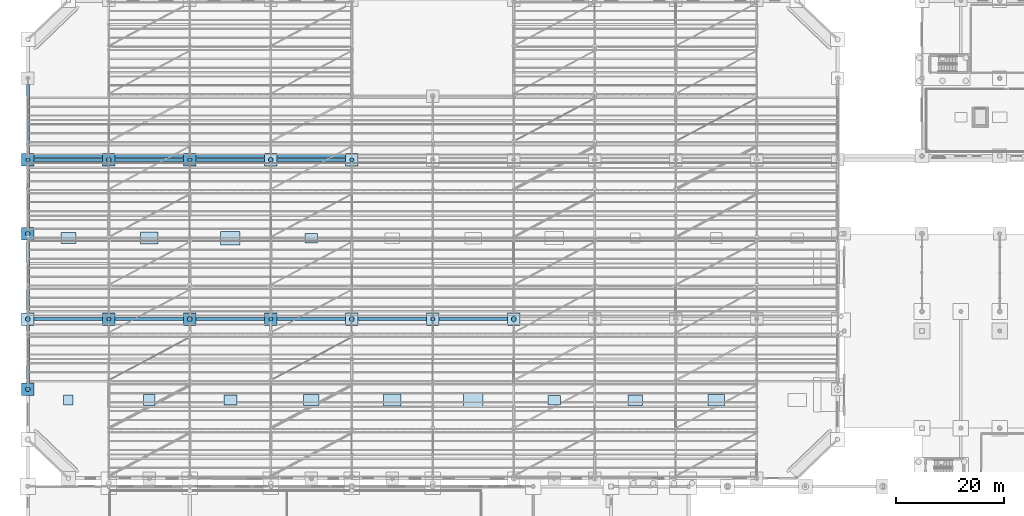
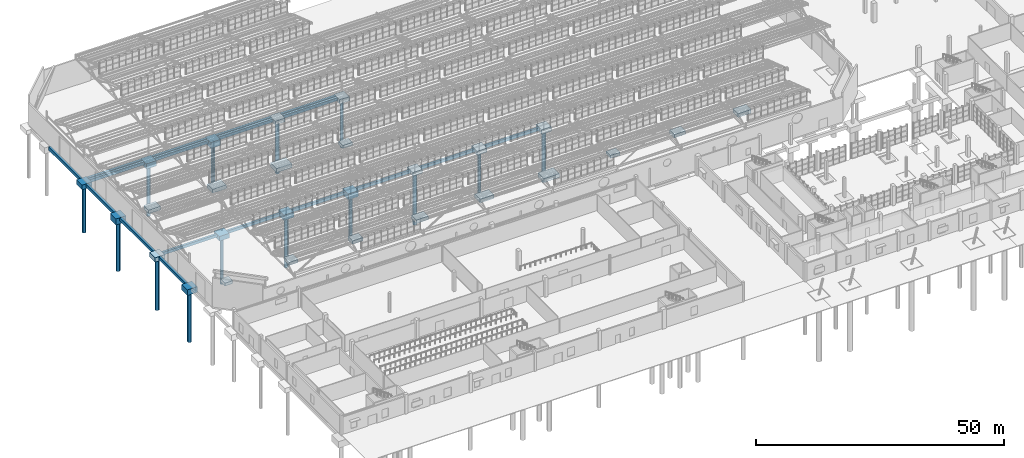
# One storey, part 4 of 285: 45 footings, 14 piles.
"""IFC4 building model written with IfcOpenShell, lengths in metres."""

from ifc_helpers import new_model, si_unit, direction, frame, origin, origin_2d, place, context, subcontext, project, spatial, polyline, circle, outline, extrude, material, material_profile, profile_set, type_object, element, save


model = new_model("IFC4")

# Units and contexts
model_context = context("Model", 3, precision=1e-05, world=origin(), true_north=direction((0.0, 1.0)))
body_context = subcontext(model_context, "Body", "Model", "MODEL_VIEW")
ifc_project = project(units=[si_unit("LENGTHUNIT", "METRE"), si_unit("AREAUNIT", "SQUARE_METRE"), si_unit("VOLUMEUNIT", "CUBIC_METRE"), si_unit("PLANEANGLEUNIT", "RADIAN"), si_unit("MASSUNIT", "GRAM", prefix="KILO")], contexts=[model_context])

# Site, building, storey
site_placement = place(None, origin())
site = spatial("IfcSite", under=ifc_project, at=site_placement, CompositionType="ELEMENT")
building_placement = place(site_placement, origin())
building = spatial("IfcBuilding", under=site, at=building_placement, Name="Solanera Park Tramway Depot", CompositionType="ELEMENT")
storey_placement = place(building_placement, origin())
storey = spatial("IfcBuildingStorey", under=building, at=storey_placement, Name="L00", CompositionType="ELEMENT", Elevation=0.0)

# Footings
ifc_material_1 = material(Name="Concrete N40 (C40/50)", Category="concrete")
footing_type_1 = type_object("IfcFootingType", Name="Bored Pile Cap PC-01 2300x2300x900", PredefinedType="PILE_CAP", material=ifc_material_1)
footing_1_placement = place(storey_placement, frame((0.0, 0.0, -1.35009765625)))
element("IfcFooting", 1, at=footing_1_placement, inside=storey, type_object=footing_type_1, Name="Pile Cap PC-01 #144", PredefinedType="PILE_CAP", context=body_context, shape_type="SweptSolid", body=[
    extrude(outline(polyline([(61.14990234375, 83.85009765625), (61.14990234375, 86.14990234375), (58.85009765625, 86.14990234375), (58.85009765625, 83.85009765625), (61.14990234375, 83.85009765625)])), origin(), (0.0, 0.0, 1.0), 0.900146484375),
])
footing_2_placement = place(storey_placement, frame((0.0, 0.0, -1.35009765625)))
element("IfcFooting", 2, at=footing_2_placement, inside=storey, type_object=footing_type_1, Name="Pile Cap PC-01 #162", PredefinedType="PILE_CAP", context=body_context, shape_type="SweptSolid", body=[
    extrude(outline(polyline([(46.14990234375, 113.35009765625), (46.14990234375, 115.64990234375), (43.85009765625, 115.64990234375), (43.85009765625, 113.35009765625), (46.14990234375, 113.35009765625)])), origin(), (0.0, 0.0, 1.0), 0.900146484375),
])
ifc_material_2 = material(Name="Concrete N40 (C40/50)", Category="concrete")
footing_type_2 = type_object("IfcFootingType", Name="Bored Pile Cap PC-02 2600x2600x1000", PredefinedType="PILE_CAP", material=ifc_material_2)
footing_3_placement = place(storey_placement, frame((0.0, 0.0, -1.449951171875)))
element("IfcFooting", 3, at=footing_3_placement, inside=storey, type_object=footing_type_2, Name="Pile Cap PC-02 #145", PredefinedType="PILE_CAP", context=body_context, shape_type="SweptSolid", body=[
    extrude(outline(polyline([(76.14990234375, 83.85009765625), (76.14990234375, 86.14990234375), (73.85009765625, 86.14990234375), (73.85009765625, 83.85009765625), (76.14990234375, 83.85009765625)])), origin(), (0.0, 0.0, 1.0), 1.0),
])
footing_4_placement = place(storey_placement, frame((0.0, 0.0, -1.449951171875)))
element("IfcFooting", 4, at=footing_4_placement, inside=storey, type_object=footing_type_2, Name="Pile Cap PC-02 #163", PredefinedType="PILE_CAP", context=body_context, shape_type="SweptSolid", body=[
    extrude(outline(polyline([(61.14990234375, 113.35009765625), (61.14990234375, 115.64990234375), (58.85009765625, 115.64990234375), (58.85009765625, 113.35009765625), (61.14990234375, 113.35009765625)])), origin(), (0.0, 0.0, 1.0), 1.0),
])
ifc_material_3 = material(Name="Concrete N40 (C40/50)", Category="concrete")
footing_type_3 = type_object("IfcFootingType", Name="Bored Pile Cap PC-03 2900x2900x1100", PredefinedType="PILE_CAP", material=ifc_material_3)
footing_5_placement = place(storey_placement, frame((0.0, 0.0, -1.550048828125)))
element("IfcFooting", 5, at=footing_5_placement, inside=storey, type_object=footing_type_3, Name="Pile Cap PC-03 #146", PredefinedType="PILE_CAP", context=body_context, shape_type="SweptSolid", body=[
    extrude(outline(polyline([(91.14990234375, 83.85009765625), (91.14990234375, 86.14990234375), (88.85009765625, 86.14990234375), (88.85009765625, 83.85009765625), (91.14990234375, 83.85009765625)])), origin(), (0.0, 0.0, 1.0), 1.10009765625),
])
ifc_material_4 = material(Name="Concrete N40 (C40/50)", Category="concrete")
footing_type_4 = type_object("IfcFootingType", Name="Bored Pile Cap PC-09 5200x3400x1400", PredefinedType="PILE_CAP", material=ifc_material_4)
footing_6_placement = place(storey_placement, frame((0.0, 0.0, -1.85009765625)))
element("IfcFooting", 6, at=footing_6_placement, inside=storey, type_object=footing_type_4, Name="Pile Cap PC-09 #134", PredefinedType="PILE_CAP", context=body_context, shape_type="SweptSolid", body=[
    extrude(outline(polyline([(1.14990234375, 70.85009765625), (1.14990234375, 73.14990234375), (-1.14990234375, 73.14990234375), (-1.14990234375, 70.85009765625), (1.14990234375, 70.85009765625)])), origin(), (0.0, 0.0, 1.0), 1.400146484375),
])
ifc_material_5 = material(Name="Concrete N40 (C40/50)", Category="concrete")
footing_type_5 = type_object("IfcFootingType", Name="Bored Pile Cap PC-11 6500x4200x1500", PredefinedType="PILE_CAP", material=ifc_material_5)
footing_7_placement = place(storey_placement, frame((0.0, 0.0, -1.949951171875)))
element("IfcFooting", 7, at=footing_7_placement, inside=storey, type_object=footing_type_5, Name="Pile Cap PC-11 #154", PredefinedType="PILE_CAP", context=body_context, shape_type="SweptSolid", body=[
    extrude(outline(polyline([(1.14990234375, 99.64990234375), (1.14990234375, 101.949951171875), (-1.14990234375, 101.949951171875), (-1.14990234375, 99.64990234375), (1.14990234375, 99.64990234375)])), origin(), (0.0, 0.0, 1.0), 1.5),
])
ifc_material_6 = material(Name="Concrete N40 (C40/50)", Category="concrete")
footing_type_6 = type_object("IfcFootingType", Name="Bored Pile Cap PC-15 2750x2750x1050", PredefinedType="PILE_CAP", material=ifc_material_6)
footing_8_placement = place(storey_placement, frame((0.0, 0.0, -1.5)))
element("IfcFooting", 8, at=footing_8_placement, inside=storey, type_object=footing_type_6, Name="Pile Cap PC-15 #140", PredefinedType="PILE_CAP", context=body_context, shape_type="SweptSolid", body=[
    extrude(outline(polyline([(1.14990234375, 83.85009765625), (1.14990234375, 86.14990234375), (-1.14990234375, 86.14990234375), (-1.14990234375, 83.85009765625), (1.14990234375, 83.85009765625)])), origin(), (0.0, 0.0, 1.0), 1.050048828125),
])
ifc_material_7 = material(Name="Concrete N40 (C40/50)", Category="concrete")
footing_type_7 = type_object("IfcFootingType", Name="Bored Pile Cap PC-16 3050x3050x1150", PredefinedType="PILE_CAP", material=ifc_material_7)
footing_9_placement = place(storey_placement, frame((0.0, 0.0, -1.60009765625)))
element("IfcFooting", 9, at=footing_9_placement, inside=storey, type_object=footing_type_7, Name="Pile Cap PC-16 #141", PredefinedType="PILE_CAP", context=body_context, shape_type="SweptSolid", body=[
    extrude(outline(polyline([(16.14990234375, 83.85009765625), (16.14990234375, 86.14990234375), (13.85009765625, 86.14990234375), (13.85009765625, 83.85009765625), (16.14990234375, 83.85009765625)])), origin(), (0.0, 0.0, 1.0), 1.150146484375),
])
footing_10_placement = place(storey_placement, frame((0.0, 0.0, -1.60009765625)))
element("IfcFooting", 10, at=footing_10_placement, inside=storey, type_object=footing_type_7, Name="Pile Cap PC-16 #159", PredefinedType="PILE_CAP", context=body_context, shape_type="SweptSolid", body=[
    extrude(outline(polyline([(1.14990234375, 113.35009765625), (1.14990234375, 115.64990234375), (-1.14990234375, 115.64990234375), (-1.14990234375, 113.35009765625), (1.14990234375, 113.35009765625)])), origin(), (0.0, 0.0, 1.0), 1.150146484375),
])
ifc_material_8 = material(Name="Concrete N40 (C40/50)", Category="concrete")
footing_type_8 = type_object("IfcFootingType", Name="Bored Pile Cap PC-17 4900x3100x1300", PredefinedType="PILE_CAP", material=ifc_material_8)
footing_11_placement = place(storey_placement, frame((0.0, 0.0, -1.75)))
element("IfcFooting", 11, at=footing_11_placement, inside=storey, type_object=footing_type_8, Name="Pile Cap PC-17 #142", PredefinedType="PILE_CAP", context=body_context, shape_type="SweptSolid", body=[
    extrude(outline(polyline([(31.14990234375, 83.85009765625), (31.14990234375, 86.14990234375), (28.85009765625, 86.14990234375), (28.85009765625, 83.85009765625), (31.14990234375, 83.85009765625)])), origin(), (0.0, 0.0, 1.0), 1.300048828125),
])
footing_12_placement = place(storey_placement, frame((0.0, 0.0, -1.75)))
element("IfcFooting", 12, at=footing_12_placement, inside=storey, type_object=footing_type_8, Name="Pile Cap PC-17 #160", PredefinedType="PILE_CAP", context=body_context, shape_type="SweptSolid", body=[
    extrude(outline(polyline([(16.14990234375, 113.35009765625), (16.14990234375, 115.64990234375), (13.85009765625, 115.64990234375), (13.85009765625, 113.35009765625), (16.14990234375, 113.35009765625)])), origin(), (0.0, 0.0, 1.0), 1.300048828125),
])
ifc_material_9 = material(Name="Concrete N40 (C40/50)", Category="concrete")
footing_type_9 = type_object("IfcFootingType", Name="Bored Pile Cap PC-18 6200x3900x1480", PredefinedType="PILE_CAP", material=ifc_material_9)
footing_13_placement = place(storey_placement, frame((0.0, 0.0, -1.929931640625)))
element("IfcFooting", 13, at=footing_13_placement, inside=storey, type_object=footing_type_9, Name="Pile Cap PC-18 #143", PredefinedType="PILE_CAP", context=body_context, shape_type="SweptSolid", body=[
    extrude(outline(polyline([(46.14990234375, 83.85009765625), (46.14990234375, 86.14990234375), (43.85009765625, 86.14990234375), (43.85009765625, 83.85009765625), (46.14990234375, 83.85009765625)])), origin(), (0.0, 0.0, 1.0), 1.47998046875),
])
footing_14_placement = place(storey_placement, frame((0.0, 0.0, -1.929931640625)))
element("IfcFooting", 14, at=footing_14_placement, inside=storey, type_object=footing_type_9, Name="Pile Cap PC-18 #161", PredefinedType="PILE_CAP", context=body_context, shape_type="SweptSolid", body=[
    extrude(outline(polyline([(31.14990234375, 113.35009765625), (31.14990234375, 115.64990234375), (28.85009765625, 115.64990234375), (28.85009765625, 113.35009765625), (31.14990234375, 113.35009765625)])), origin(), (0.0, 0.0, 1.0), 1.47998046875),
])
ifc_material_10 = material(Name="Concrete N40 (C40/50)", Category="concrete")
footing_type_10 = type_object("IfcFootingType", Name="Equipment Pad Footing PF-01 1800x1800x700", PredefinedType="PAD_FOOTING", material=ifc_material_10)
footing_15_placement = place(storey_placement, frame((0.0, 0.0, -1.14990234375)))
element("IfcFooting", 15, at=footing_15_placement, inside=storey, type_object=footing_type_10, Name="Equipment Pad Footing PF-01 #001", PredefinedType="PAD_FOOTING", context=body_context, shape_type="SweptSolid", body=[
    extrude(outline(polyline([(8.39990234375, 69.10009765625), (8.39990234375, 70.89990234375), (6.60009765625, 70.89990234375), (6.60009765625, 69.10009765625), (8.39990234375, 69.10009765625)])), origin(), (0.0, 0.0, 1.0), 0.699951171875),
])
ifc_material_11 = material(Name="Concrete N40 (C40/50)", Category="concrete")
footing_type_11 = type_object("IfcFootingType", Name="Equipment Pad Footing PF-02 2100x2100x750", PredefinedType="PAD_FOOTING", material=ifc_material_11)
footing_16_placement = place(storey_placement, frame((0.0, 0.0, -1.199951171875)))
element("IfcFooting", 16, at=footing_16_placement, inside=storey, type_object=footing_type_11, Name="Equipment Pad Footing PF-02 #002", PredefinedType="PAD_FOOTING", context=body_context, shape_type="SweptSolid", body=[
    extrude(outline(polyline([(23.550048828125, 68.949951171875), (23.550048828125, 71.050048828125), (21.449951171875, 71.050048828125), (21.449951171875, 68.949951171875), (23.550048828125, 68.949951171875)])), origin(), (0.0, 0.0, 1.0), 0.75),
])
ifc_material_12 = material(Name="Concrete N40 (C40/50)", Category="concrete")
footing_type_12 = type_object("IfcFootingType", Name="Equipment Pad Footing PF-03 2400x1800x800", PredefinedType="PAD_FOOTING", material=ifc_material_12)
footing_17_placement = place(storey_placement, frame((0.0, 0.0, -1.25)))
element("IfcFooting", 17, at=footing_17_placement, inside=storey, type_object=footing_type_12, Name="Equipment Pad Footing PF-03 #003", PredefinedType="PAD_FOOTING", context=body_context, shape_type="SweptSolid", body=[
    extrude(outline(polyline([(38.699951171875, 69.10009765625), (38.699951171875, 70.89990234375), (36.300048828125, 70.89990234375), (36.300048828125, 69.10009765625), (38.699951171875, 69.10009765625)])), origin(), (0.0, 0.0, 1.0), 0.800048828125),
])
ifc_material_13 = material(Name="Concrete N40 (C40/50)", Category="concrete")
footing_type_13 = type_object("IfcFootingType", Name="Equipment Pad Footing PF-04 2800x2000x850", PredefinedType="PAD_FOOTING", material=ifc_material_13)
footing_18_placement = place(storey_placement, frame((0.0, 0.0, -1.300048828125)))
element("IfcFooting", 18, at=footing_18_placement, inside=storey, type_object=footing_type_13, Name="Equipment Pad Footing PF-04 #004", PredefinedType="PAD_FOOTING", context=body_context, shape_type="SweptSolid", body=[
    extrude(outline(polyline([(53.89990234375, 69.0), (53.89990234375, 71.0), (51.10009765625, 71.0), (51.10009765625, 69.0), (53.89990234375, 69.0)])), origin(), (0.0, 0.0, 1.0), 0.85009765625),
])
footing_19_placement = place(storey_placement, frame((0.0, 0.0, -1.300048828125)))
element("IfcFooting", 19, at=footing_19_placement, inside=storey, type_object=footing_type_13, Name="Equipment Pad Footing PF-04 #011", PredefinedType="PAD_FOOTING", context=body_context, shape_type="SweptSolid", body=[
    extrude(outline(polyline([(8.89990234375, 99.0), (8.89990234375, 101.0), (6.10009765625, 101.0), (6.10009765625, 99.0), (8.89990234375, 99.0)])), origin(), (0.0, 0.0, 1.0), 0.85009765625),
])
ifc_material_14 = material(Name="Concrete N40 (C40/50)", Category="concrete")
footing_type_14 = type_object("IfcFootingType", Name="Equipment Pad Footing PF-05 3200x2200x900", PredefinedType="PAD_FOOTING", material=ifc_material_14)
footing_20_placement = place(storey_placement, frame((0.0, 0.0, -1.35009765625)))
element("IfcFooting", 20, at=footing_20_placement, inside=storey, type_object=footing_type_14, Name="Equipment Pad Footing PF-05 #005", PredefinedType="PAD_FOOTING", context=body_context, shape_type="SweptSolid", body=[
    extrude(outline(polyline([(69.10009765625, 68.89990234375), (69.10009765625, 71.10009765625), (65.89990234375, 71.10009765625), (65.89990234375, 68.89990234375), (69.10009765625, 68.89990234375)])), origin(), (0.0, 0.0, 1.0), 0.900146484375),
])
footing_21_placement = place(storey_placement, frame((0.0, 0.0, -1.35009765625)))
element("IfcFooting", 21, at=footing_21_placement, inside=storey, type_object=footing_type_14, Name="Equipment Pad Footing PF-05 #012", PredefinedType="PAD_FOOTING", context=body_context, shape_type="SweptSolid", body=[
    extrude(outline(polyline([(24.10009765625, 98.89990234375), (24.10009765625, 101.10009765625), (20.89990234375, 101.10009765625), (20.89990234375, 98.89990234375), (24.10009765625, 98.89990234375)])), origin(), (0.0, 0.0, 1.0), 0.900146484375),
])
ifc_material_15 = material(Name="Concrete N40 (C40/50)", Category="concrete")
footing_type_15 = type_object("IfcFootingType", Name="Equipment Pad Footing PF-06 3600x2500x950", PredefinedType="PAD_FOOTING", material=ifc_material_15)
footing_22_placement = place(storey_placement, frame((0.0, 0.0, -1.39990234375)))
element("IfcFooting", 22, at=footing_22_placement, inside=storey, type_object=footing_type_15, Name="Equipment Pad Footing PF-06 #006", PredefinedType="PAD_FOOTING", context=body_context, shape_type="SweptSolid", body=[
    extrude(outline(polyline([(84.300048828125, 68.75), (84.300048828125, 71.25), (80.699951171875, 71.25), (80.699951171875, 68.75), (84.300048828125, 68.75)])), origin(), (0.0, 0.0, 1.0), 0.949951171875),
])
footing_23_placement = place(storey_placement, frame((0.0, 0.0, -1.39990234375)))
element("IfcFooting", 23, at=footing_23_placement, inside=storey, type_object=footing_type_15, Name="Equipment Pad Footing PF-06 #013", PredefinedType="PAD_FOOTING", context=body_context, shape_type="SweptSolid", body=[
    extrude(outline(polyline([(39.300048828125, 98.75), (39.300048828125, 101.25), (35.699951171875, 101.25), (35.699951171875, 98.75), (39.300048828125, 98.75)])), origin(), (0.0, 0.0, 1.0), 0.949951171875),
])
ifc_material_16 = material(Name="Concrete N40 (C40/50)", Category="concrete")
footing_type_16 = type_object("IfcFootingType", Name="Equipment Pad Footing PF-07 2250x1750x720", PredefinedType="PAD_FOOTING", material=ifc_material_16)
footing_24_placement = place(storey_placement, frame((0.0, 0.0, -1.169921875)))
element("IfcFooting", 24, at=footing_24_placement, inside=storey, type_object=footing_type_16, Name="Equipment Pad Footing PF-07 #007", PredefinedType="PAD_FOOTING", context=body_context, shape_type="SweptSolid", body=[
    extrude(outline(polyline([(98.625, 69.125), (98.625, 70.875), (96.375, 70.875), (96.375, 69.125), (98.625, 69.125)])), origin(), (0.0, 0.0, 1.0), 0.719970703125),
])
footing_25_placement = place(storey_placement, frame((0.0, 0.0, -1.169921875)))
element("IfcFooting", 25, at=footing_25_placement, inside=storey, type_object=footing_type_16, Name="Equipment Pad Footing PF-07 #014", PredefinedType="PAD_FOOTING", context=body_context, shape_type="SweptSolid", body=[
    extrude(outline(polyline([(53.625, 99.125), (53.625, 100.875), (51.375, 100.875), (51.375, 99.125), (53.625, 99.125)])), origin(), (0.0, 0.0, 1.0), 0.719970703125),
])
ifc_material_17 = material(Name="Concrete N40 (C40/50)", Category="concrete")
footing_type_17 = type_object("IfcFootingType", Name="Equipment Pad Footing PF-08 2650x1950x820", PredefinedType="PAD_FOOTING", material=ifc_material_17)
footing_26_placement = place(storey_placement, frame((0.0, 0.0, -1.27001953125)))
element("IfcFooting", 26, at=footing_26_placement, inside=storey, type_object=footing_type_17, Name="Equipment Pad Footing PF-08 #008", PredefinedType="PAD_FOOTING", context=body_context, shape_type="SweptSolid", body=[
    extrude(outline(polyline([(113.824951171875, 69.02490234375), (113.824951171875, 70.97509765625), (111.175048828125, 70.97509765625), (111.175048828125, 69.02490234375), (113.824951171875, 69.02490234375)])), origin(), (0.0, 0.0, 1.0), 0.820068359375),
])
ifc_material_18 = material(Name="Concrete N40 (C40/50)", Category="concrete")
footing_type_18 = type_object("IfcFootingType", Name="Equipment Pad Footing PF-09 3050x2150x880", PredefinedType="PAD_FOOTING", material=ifc_material_18)
footing_27_placement = place(storey_placement, frame((0.0, 0.0, -1.330078125)))
element("IfcFooting", 27, at=footing_27_placement, inside=storey, type_object=footing_type_18, Name="Equipment Pad Footing PF-09 #009", PredefinedType="PAD_FOOTING", context=body_context, shape_type="SweptSolid", body=[
    extrude(outline(polyline([(129.02490234375, 68.925048828125), (129.02490234375, 71.074951171875), (125.97509765625, 71.074951171875), (125.97509765625, 68.925048828125), (129.02490234375, 68.925048828125)])), origin(), (0.0, 0.0, 1.0), 0.880126953125),
])
ifc_material_19 = material(Name="Concrete N40 (C40/50)", Category="concrete")
footing_type_19 = type_object("IfcFootingType", Name="Ground Tie Beam GB-01 500x700", PredefinedType="FOOTING_BEAM", material=ifc_material_19)
footing_28_placement = place(storey_placement, frame((0.0, 0.0, -1.14990234375)))
element("IfcFooting", 28, at=footing_28_placement, inside=storey, type_object=footing_type_19, Name="Ground Tie Beam GB-01 #055", PredefinedType="FOOTING_BEAM", context=body_context, shape_type="SweptSolid", body=[
    extrude(outline(polyline([(13.85009765625, 84.75), (13.85009765625, 85.25), (1.14990234375, 85.25), (1.14990234375, 84.75), (13.85009765625, 84.75)])), origin(), (0.0, 0.0, 1.0), 0.699951171875),
])
footing_29_placement = place(storey_placement, frame((0.0, 0.0, -1.14990234375)))
element("IfcFooting", 29, at=footing_29_placement, inside=storey, type_object=footing_type_19, Name="Ground Tie Beam GB-01 #056", PredefinedType="FOOTING_BEAM", context=body_context, shape_type="SweptSolid", body=[
    extrude(outline(polyline([(28.85009765625, 84.75), (28.85009765625, 85.25), (16.14990234375, 85.25), (16.14990234375, 84.75), (28.85009765625, 84.75)])), origin(), (0.0, 0.0, 1.0), 0.699951171875),
])
footing_30_placement = place(storey_placement, frame((0.0, 0.0, -1.14990234375)))
element("IfcFooting", 30, at=footing_30_placement, inside=storey, type_object=footing_type_19, Name="Ground Tie Beam GB-01 #057", PredefinedType="FOOTING_BEAM", context=body_context, shape_type="SweptSolid", body=[
    extrude(outline(polyline([(43.85009765625, 84.75), (43.85009765625, 85.25), (31.14990234375, 85.25), (31.14990234375, 84.75), (43.85009765625, 84.75)])), origin(), (0.0, 0.0, 1.0), 0.699951171875),
])
footing_31_placement = place(storey_placement, frame((0.0, 0.0, -1.14990234375)))
element("IfcFooting", 31, at=footing_31_placement, inside=storey, type_object=footing_type_19, Name="Ground Tie Beam GB-01 #058", PredefinedType="FOOTING_BEAM", context=body_context, shape_type="SweptSolid", body=[
    extrude(outline(polyline([(58.85009765625, 84.75), (58.85009765625, 85.25), (46.14990234375, 85.25), (46.14990234375, 84.75), (58.85009765625, 84.75)])), origin(), (0.0, 0.0, 1.0), 0.699951171875),
])
footing_32_placement = place(storey_placement, frame((0.0, 0.0, -1.14990234375)))
element("IfcFooting", 32, at=footing_32_placement, inside=storey, type_object=footing_type_19, Name="Ground Tie Beam GB-01 #059", PredefinedType="FOOTING_BEAM", context=body_context, shape_type="SweptSolid", body=[
    extrude(outline(polyline([(73.85009765625, 84.75), (73.85009765625, 85.25), (61.14990234375, 85.25), (61.14990234375, 84.75), (73.85009765625, 84.75)])), origin(), (0.0, 0.0, 1.0), 0.699951171875),
])
footing_33_placement = place(storey_placement, frame((0.0, 0.0, -1.14990234375)))
element("IfcFooting", 33, at=footing_33_placement, inside=storey, type_object=footing_type_19, Name="Ground Tie Beam GB-01 #060", PredefinedType="FOOTING_BEAM", context=body_context, shape_type="SweptSolid", body=[
    extrude(outline(polyline([(88.85009765625, 84.75), (88.85009765625, 85.25), (76.14990234375, 85.25), (76.14990234375, 84.75), (88.85009765625, 84.75)])), origin(), (0.0, 0.0, 1.0), 0.699951171875),
])
ifc_material_20 = material(Name="Concrete N40 (C40/50)", Category="concrete")
footing_type_20 = type_object("IfcFootingType", Name="Ground Tie Beam GB-02 550x750", PredefinedType="FOOTING_BEAM", material=ifc_material_20)
footing_34_placement = place(storey_placement, frame((0.0, 0.0, -1.199951171875)))
element("IfcFooting", 34, at=footing_34_placement, inside=storey, type_object=footing_type_20, Name="Ground Tie Beam GB-02 #065", PredefinedType="FOOTING_BEAM", context=body_context, shape_type="SweptSolid", body=[
    extrude(outline(polyline([(13.85009765625, 114.22509765625), (13.85009765625, 114.77490234375), (1.14990234375, 114.77490234375), (1.14990234375, 114.22509765625), (13.85009765625, 114.22509765625)])), origin(), (0.0, 0.0, 1.0), 0.75),
])
footing_35_placement = place(storey_placement, frame((0.0, 0.0, -1.199951171875)))
element("IfcFooting", 35, at=footing_35_placement, inside=storey, type_object=footing_type_20, Name="Ground Tie Beam GB-02 #066", PredefinedType="FOOTING_BEAM", context=body_context, shape_type="SweptSolid", body=[
    extrude(outline(polyline([(28.85009765625, 114.22509765625), (28.85009765625, 114.77490234375), (16.14990234375, 114.77490234375), (16.14990234375, 114.22509765625), (28.85009765625, 114.22509765625)])), origin(), (0.0, 0.0, 1.0), 0.75),
])
footing_36_placement = place(storey_placement, frame((0.0, 0.0, -1.199951171875)))
element("IfcFooting", 36, at=footing_36_placement, inside=storey, type_object=footing_type_20, Name="Ground Tie Beam GB-02 #067", PredefinedType="FOOTING_BEAM", context=body_context, shape_type="SweptSolid", body=[
    extrude(outline(polyline([(43.85009765625, 114.22509765625), (43.85009765625, 114.77490234375), (31.14990234375, 114.77490234375), (31.14990234375, 114.22509765625), (43.85009765625, 114.22509765625)])), origin(), (0.0, 0.0, 1.0), 0.75),
])
footing_37_placement = place(storey_placement, frame((0.0, 0.0, -1.199951171875)))
element("IfcFooting", 37, at=footing_37_placement, inside=storey, type_object=footing_type_20, Name="Ground Tie Beam GB-02 #068", PredefinedType="FOOTING_BEAM", context=body_context, shape_type="SweptSolid", body=[
    extrude(outline(polyline([(58.85009765625, 114.22509765625), (58.85009765625, 114.77490234375), (46.14990234375, 114.77490234375), (46.14990234375, 114.22509765625), (58.85009765625, 114.22509765625)])), origin(), (0.0, 0.0, 1.0), 0.75),
])
footing_38_placement = place(storey_placement, frame((0.0, 0.0, -1.199951171875)))
element("IfcFooting", 38, at=footing_38_placement, inside=storey, type_object=footing_type_20, Name="Ground Tie Beam GB-02 #111", PredefinedType="FOOTING_BEAM", context=body_context, shape_type="SweptSolid", body=[
    extrude(outline(polyline([(0.27490234375, 73.14990234375), (0.27490234375, 83.85009765625), (-0.27490234375, 83.85009765625), (-0.27490234375, 73.14990234375), (0.27490234375, 73.14990234375)])), origin(), (0.0, 0.0, 1.0), 0.75),
])
footing_39_placement = place(storey_placement, frame((0.0, 0.0, -1.199951171875)))
element("IfcFooting", 39, at=footing_39_placement, inside=storey, type_object=footing_type_20, Name="Ground Tie Beam GB-02 #112", PredefinedType="FOOTING_BEAM", context=body_context, shape_type="SweptSolid", body=[
    extrude(outline(polyline([(0.27490234375, 86.14990234375), (0.27490234375, 99.64990234375), (-0.27490234375, 99.64990234375), (-0.27490234375, 86.14990234375), (0.27490234375, 86.14990234375)])), origin(), (0.0, 0.0, 1.0), 0.75),
])
footing_40_placement = place(storey_placement, frame((0.0, 0.0, -1.199951171875)))
element("IfcFooting", 40, at=footing_40_placement, inside=storey, type_object=footing_type_20, Name="Ground Tie Beam GB-02 #113", PredefinedType="FOOTING_BEAM", context=body_context, shape_type="SweptSolid", body=[
    extrude(outline(polyline([(0.27490234375, 101.949951171875), (0.27490234375, 113.35009765625), (-0.27490234375, 113.35009765625), (-0.27490234375, 101.949951171875), (0.27490234375, 101.949951171875)])), origin(), (0.0, 0.0, 1.0), 0.75),
])
footing_41_placement = place(storey_placement, frame((0.0, 0.0, -1.199951171875)))
element("IfcFooting", 41, at=footing_41_placement, inside=storey, type_object=footing_type_20, Name="Ground Tie Beam GB-02 #114", PredefinedType="FOOTING_BEAM", context=body_context, shape_type="SweptSolid", body=[
    extrude(outline(polyline([(0.27490234375, 115.64990234375), (0.27490234375, 128.449951171875), (-0.27490234375, 128.449951171875), (-0.27490234375, 115.64990234375), (0.27490234375, 115.64990234375)])), origin(), (0.0, 0.0, 1.0), 0.75),
])
ifc_material_21 = material(Name="Concrete N40 (C40/50)", Category="concrete")
footing_type_21 = type_object("IfcFootingType", Name="Ground Tie Beam GB-03 600x800", PredefinedType="FOOTING_BEAM", material=ifc_material_21)
footing_42_placement = place(storey_placement, frame((0.0, 0.0, -1.25)))
element("IfcFooting", 42, at=footing_42_placement, inside=storey, type_object=footing_type_21, Name="Ground Tie Beam GB-03 #078", PredefinedType="FOOTING_BEAM", context=body_context, shape_type="SweptSolid", body=[
    extrude(outline(polyline([(13.85009765625, 114.89990234375), (13.85009765625, 115.5), (1.14990234375, 115.5), (1.14990234375, 114.89990234375), (13.85009765625, 114.89990234375)])), origin(), (0.0, 0.0, 1.0), 0.800048828125),
])
footing_43_placement = place(storey_placement, frame((0.0, 0.0, -1.25)))
element("IfcFooting", 43, at=footing_43_placement, inside=storey, type_object=footing_type_21, Name="Ground Tie Beam GB-03 #079", PredefinedType="FOOTING_BEAM", context=body_context, shape_type="SweptSolid", body=[
    extrude(outline(polyline([(28.85009765625, 114.89990234375), (28.85009765625, 115.5), (16.14990234375, 115.5), (16.14990234375, 114.89990234375), (28.85009765625, 114.89990234375)])), origin(), (0.0, 0.0, 1.0), 0.800048828125),
])
footing_44_placement = place(storey_placement, frame((0.0, 0.0, -1.25)))
element("IfcFooting", 44, at=footing_44_placement, inside=storey, type_object=footing_type_21, Name="Ground Tie Beam GB-03 #080", PredefinedType="FOOTING_BEAM", context=body_context, shape_type="SweptSolid", body=[
    extrude(outline(polyline([(43.85009765625, 114.89990234375), (43.85009765625, 115.5), (31.14990234375, 115.5), (31.14990234375, 114.89990234375), (43.85009765625, 114.89990234375)])), origin(), (0.0, 0.0, 1.0), 0.800048828125),
])
footing_45_placement = place(storey_placement, frame((0.0, 0.0, -1.25)))
element("IfcFooting", 45, at=footing_45_placement, inside=storey, type_object=footing_type_21, Name="Ground Tie Beam GB-03 #081", PredefinedType="FOOTING_BEAM", context=body_context, shape_type="SweptSolid", body=[
    extrude(outline(polyline([(58.85009765625, 114.89990234375), (58.85009765625, 115.5), (46.14990234375, 115.5), (46.14990234375, 114.89990234375), (58.85009765625, 114.89990234375)])), origin(), (0.0, 0.0, 1.0), 0.800048828125),
])

# Piles
ifc_material_22 = material(Name="Concrete N40 (C40/50)", Category="concrete")
ifc_material_profile_1 = material_profile(ifc_material_22, circle(Radius=0.375, at=origin_2d()), Name="BORED PILE 750")
ifc_profile_set_1 = profile_set([ifc_material_profile_1], Name="Concrete N40 (C40/50)")
pile_type_1 = type_object("IfcPileType", Name="Rock Socketed BORED PILE 750", PredefinedType="BORED", material=ifc_profile_set_1)
pile_1_placement = place(storey_placement, frame((15.0, 85.0, -1.5), z_axis=(0.0, 0.0, -1.0), x_axis=(1.0, 0.0, 0.0)))
element("IfcPile", 46, at=pile_1_placement, inside=storey, type_object=pile_type_1, Name="Bored Pile BORED PILE 750 #0185", PredefinedType="BORED", context=body_context, shape_type="SweptSolid", body=[
    extrude(circle(Radius=0.375, at=origin_2d()), origin(), (0.0, 0.0, 1.0), 11.60009765625),
])
pile_2_placement = place(storey_placement, frame((45.0, 85.0, -1.830078125), z_axis=(0.0, 0.0, -1.0), x_axis=(1.0, 0.0, 0.0)))
element("IfcPile", 47, at=pile_2_placement, inside=storey, type_object=pile_type_1, Name="Bored Pile BORED PILE 750 #0187", PredefinedType="BORED", context=body_context, shape_type="SweptSolid", body=[
    extrude(circle(Radius=0.375, at=origin_2d()), origin(), (0.0, 0.0, 1.0), 11.27001953125),
])
pile_3_placement = place(storey_placement, frame((75.0, 85.0, -1.35009765625), z_axis=(0.0, 0.0, -1.0), x_axis=(1.0, 0.0, 0.0)))
element("IfcPile", 48, at=pile_3_placement, inside=storey, type_object=pile_type_1, Name="Bored Pile BORED PILE 750 #0189", PredefinedType="BORED", context=body_context, shape_type="SweptSolid", body=[
    extrude(circle(Radius=0.375, at=origin_2d()), origin(), (0.0, 0.0, 1.0), 11.75),
])
pile_4_placement = place(storey_placement, frame((0.0, 114.5, -1.5), z_axis=(0.0, 0.0, -1.0), x_axis=(1.0, 0.0, 0.0)))
element("IfcPile", 49, at=pile_4_placement, inside=storey, type_object=pile_type_1, Name="Bored Pile BORED PILE 750 #0203", PredefinedType="BORED", context=body_context, shape_type="SweptSolid", body=[
    extrude(circle(Radius=0.375, at=origin_2d()), origin(), (0.0, 0.0, 1.0), 11.60009765625),
])
pile_5_placement = place(storey_placement, frame((30.0, 114.5, -1.830078125), z_axis=(0.0, 0.0, -1.0), x_axis=(1.0, 0.0, 0.0)))
element("IfcPile", 50, at=pile_5_placement, inside=storey, type_object=pile_type_1, Name="Bored Pile BORED PILE 750 #0205", PredefinedType="BORED", context=body_context, shape_type="SweptSolid", body=[
    extrude(circle(Radius=0.375, at=origin_2d()), origin(), (0.0, 0.0, 1.0), 11.27001953125),
])
pile_6_placement = place(storey_placement, frame((60.0, 114.5, -1.35009765625), z_axis=(0.0, 0.0, -1.0), x_axis=(1.0, 0.0, 0.0)))
element("IfcPile", 51, at=pile_6_placement, inside=storey, type_object=pile_type_1, Name="Bored Pile BORED PILE 750 #0207", PredefinedType="BORED", context=body_context, shape_type="SweptSolid", body=[
    extrude(circle(Radius=0.375, at=origin_2d()), origin(), (0.0, 0.0, 1.0), 11.75),
])
ifc_material_23 = material(Name="Concrete N40 (C40/50)", Category="concrete")
ifc_material_profile_2 = material_profile(ifc_material_23, circle(Radius=0.449951171875, at=origin_2d()), Name="BORED PILE 900")
ifc_profile_set_2 = profile_set([ifc_material_profile_2], Name="Concrete N40 (C40/50)")
pile_type_2 = type_object("IfcPileType", Name="Rock Socketed BORED PILE 900", PredefinedType="BORED", material=ifc_profile_set_2)
pile_7_placement = place(storey_placement, frame((0.0, 72.0, -1.75), z_axis=(0.0, 0.0, -1.0), x_axis=(1.0, 0.0, 0.0)))
element("IfcPile", 52, at=pile_7_placement, inside=storey, type_object=pile_type_2, Name="Bored Pile BORED PILE 900 #0177", PredefinedType="BORED", context=body_context, shape_type="SweptSolid", body=[
    extrude(circle(Radius=0.449951171875, at=origin_2d()), origin(), (0.0, 0.0, 1.0), 12.449951171875),
])
pile_8_placement = place(storey_placement, frame((0.0, 85.0, -1.39990234375), z_axis=(0.0, 0.0, -1.0), x_axis=(1.0, 0.0, 0.0)))
element("IfcPile", 53, at=pile_8_placement, inside=storey, type_object=pile_type_2, Name="Bored Pile BORED PILE 900 #0184", PredefinedType="BORED", context=body_context, shape_type="SweptSolid", body=[
    extrude(circle(Radius=0.449951171875, at=origin_2d()), origin(), (0.0, 0.0, 1.0), 12.800048828125),
])
pile_9_placement = place(storey_placement, frame((30.0, 85.0, -1.64990234375), z_axis=(0.0, 0.0, -1.0), x_axis=(1.0, 0.0, 0.0)))
element("IfcPile", 54, at=pile_9_placement, inside=storey, type_object=pile_type_2, Name="Bored Pile BORED PILE 900 #0186", PredefinedType="BORED", context=body_context, shape_type="SweptSolid", body=[
    extrude(circle(Radius=0.449951171875, at=origin_2d()), origin(), (0.0, 0.0, 1.0), 12.550048828125),
])
pile_10_placement = place(storey_placement, frame((60.0, 85.0, -1.25), z_axis=(0.0, 0.0, -1.0), x_axis=(1.0, 0.0, 0.0)))
element("IfcPile", 55, at=pile_10_placement, inside=storey, type_object=pile_type_2, Name="Bored Pile BORED PILE 900 #0188", PredefinedType="BORED", context=body_context, shape_type="SweptSolid", body=[
    extrude(circle(Radius=0.449951171875, at=origin_2d()), origin(), (0.0, 0.0, 1.0), 12.949951171875),
])
pile_11_placement = place(storey_placement, frame((90.0, 85.0, -1.449951171875), z_axis=(0.0, 0.0, -1.0), x_axis=(1.0, 0.0, 0.0)))
element("IfcPile", 56, at=pile_11_placement, inside=storey, type_object=pile_type_2, Name="Bored Pile BORED PILE 900 #0190", PredefinedType="BORED", context=body_context, shape_type="SweptSolid", body=[
    extrude(circle(Radius=0.449951171875, at=origin_2d()), origin(), (0.0, 0.0, 1.0), 12.75),
])
pile_12_placement = place(storey_placement, frame((0.0, 100.800048828125, -1.85009765625), z_axis=(0.0, 0.0, -1.0), x_axis=(1.0, 0.0, 0.0)))
element("IfcPile", 57, at=pile_12_placement, inside=storey, type_object=pile_type_2, Name="Bored Pile BORED PILE 900 #0198", PredefinedType="BORED", context=body_context, shape_type="SweptSolid", body=[
    extrude(circle(Radius=0.449951171875, at=origin_2d()), origin(), (0.0, 0.0, 1.0), 12.35009765625),
])
pile_13_placement = place(storey_placement, frame((15.0, 114.5, -1.64990234375), z_axis=(0.0, 0.0, -1.0), x_axis=(1.0, 0.0, 0.0)))
element("IfcPile", 58, at=pile_13_placement, inside=storey, type_object=pile_type_2, Name="Bored Pile BORED PILE 900 #0204", PredefinedType="BORED", context=body_context, shape_type="SweptSolid", body=[
    extrude(circle(Radius=0.449951171875, at=origin_2d()), origin(), (0.0, 0.0, 1.0), 12.550048828125),
])
pile_14_placement = place(storey_placement, frame((45.0, 114.5, -1.25), z_axis=(0.0, 0.0, -1.0), x_axis=(1.0, 0.0, 0.0)))
element("IfcPile", 59, at=pile_14_placement, inside=storey, type_object=pile_type_2, Name="Bored Pile BORED PILE 900 #0206", PredefinedType="BORED", context=body_context, shape_type="SweptSolid", body=[
    extrude(circle(Radius=0.449951171875, at=origin_2d()), origin(), (0.0, 0.0, 1.0), 12.949951171875),
])

save(model, "model.ifc")
